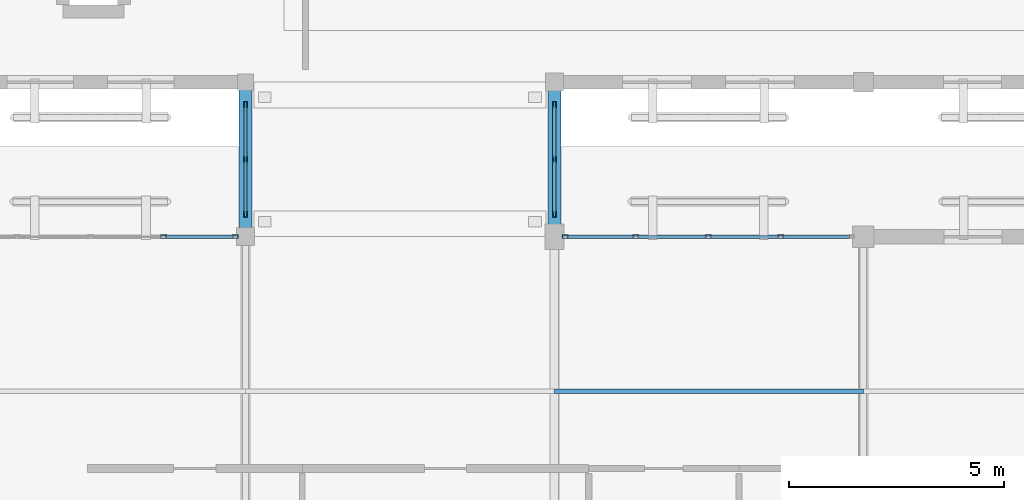
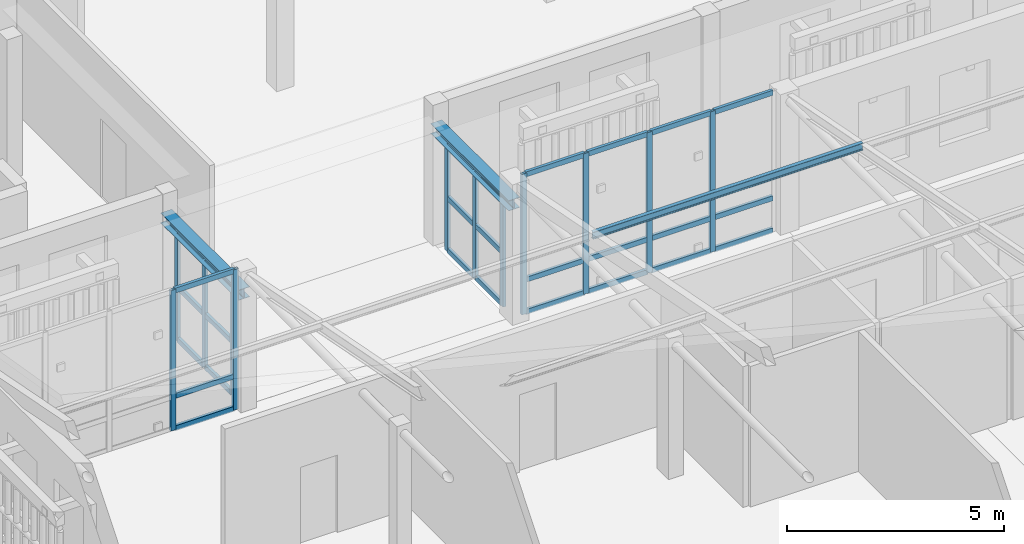
# One storey, part 54 of 112: 40 members, 2 beams, 4 elements without a shape of their own.
"""IFC4 building model written with IfcOpenShell, lengths in metres."""

import ifcopenshell
import ifcopenshell.guid

model = None  # the IFC model being written
_history = None  # IfcOwnerHistory: only IFC2X3 demands one
_inside = {}  # id of a spatial element -> (the spatial element, [elements in it])
_under = {}  # id of a project, library or spatial element -> (it, [spatial elements below it])
_declared = {}  # id of a project -> (the project, [libraries it declares])
_typed = {}  # id of a type object -> (the type object, [elements of that type])
_made_of = {}  # id of a material, layer set ... -> (it, [elements and type objects made of it])


def new_model(schema):
    """Start an empty IFC model of exactly this schema.

    Asked for "IFC4X3", IfcOpenShell would pick the latest addendum, in which some entities
    have other attributes; the version numbers below select the first issue.
    IFC2X3 requires an IfcOwnerHistory on every rooted entity: one is made here for all.
    """
    global model, _history
    if schema == "IFC4X3":
        model = ifcopenshell.file(schema_version=(4, 3, 0, 0))
    else:
        model = ifcopenshell.file(schema=schema)
    _inside.clear()
    _under.clear()
    _declared.clear()
    _typed.clear()
    _made_of.clear()
    _history = None
    if model.schema == "IFC2X3":
        org = make("IfcOrganization", Name="unknown")
        user = make(
            "IfcPersonAndOrganization",
            ThePerson=make("IfcPerson", FamilyName="unknown"),
            TheOrganization=org,
        )
        app = make(
            "IfcApplication",
            ApplicationDeveloper=org,
            Version="unknown",
            ApplicationFullName="unknown",
            ApplicationIdentifier="unknown",
        )
        _history = make(
            "IfcOwnerHistory",
            OwningUser=user,
            OwningApplication=app,
            ChangeAction="ADDED",
            CreationDate=0,
        )
    return model


def make(cls, **values):
    """One entity of the class cls with the attributes given. An attribute that is None is left unset."""
    return model.create_entity(
        cls, **{name: value for name, value in values.items() if value is not None}
    )


def rooted(cls, **values):
    """An entity with a GlobalId (a new one), such as an element, a storey or a relation."""
    return make(cls, GlobalId=ifcopenshell.guid.new(), OwnerHistory=_history, **values)


def si_unit(unit_type, name, prefix=None):
    """IfcSIUnit, for example si_unit("LENGTHUNIT", "METRE", prefix="MILLI")."""
    return make("IfcSIUnit", UnitType=unit_type, Prefix=prefix, Name=name)


def assignment(units):
    """IfcUnitAssignment: the units of a project."""
    return None if units is None else make("IfcUnitAssignment", Units=units)


def point(xyz):
    """IfcCartesianPoint."""
    return None if xyz is None else make("IfcCartesianPoint", Coordinates=xyz)


def direction(xyz):
    """IfcDirection."""
    return None if xyz is None else make("IfcDirection", DirectionRatios=xyz)


def frame(location, z_axis=None, x_axis=None):
    """IfcAxis2Placement3D, a coordinate frame: its origin and axes. An axis left out is left unset."""
    return make(
        "IfcAxis2Placement3D",
        Location=point(location),
        Axis=direction(z_axis),
        RefDirection=direction(x_axis),
    )


def frame_2d(location, x_axis=None):
    """IfcAxis2Placement2D, a coordinate frame in the plane: its origin and x axis."""
    return make(
        "IfcAxis2Placement2D", Location=point(location), RefDirection=direction(x_axis)
    )


def origin():
    """The frame at (0, 0, 0) with its axes left unset."""
    return frame((0.0, 0.0, 0.0))


def origin_2d():
    """The frame at (0, 0) in the plane with its x axis left unset."""
    return frame_2d((0.0, 0.0))


def place(relative_to, where):
    """IfcLocalPlacement: puts the frame where relative to a parent placement (None: the world)."""
    return make(
        "IfcLocalPlacement", PlacementRelTo=relative_to, RelativePlacement=where
    )


def context(
    kind, dimensions, precision=None, world=None, true_north=None, identifier=None
):
    """IfcGeometricRepresentationContext, for example the 3D "Model" context."""
    return make(
        "IfcGeometricRepresentationContext",
        ContextIdentifier=identifier,
        ContextType=kind,
        CoordinateSpaceDimension=dimensions,
        Precision=precision,
        WorldCoordinateSystem=world,
        TrueNorth=true_north,
    )


def subcontext(parent, identifier, kind, view, scale=None):
    """IfcGeometricRepresentationSubContext, for example "Body" below "Model"."""
    return make(
        "IfcGeometricRepresentationSubContext",
        ContextIdentifier=identifier,
        ContextType=kind,
        ParentContext=parent,
        TargetScale=scale,
        TargetView=view,
    )


def project(units=None, contexts=None):
    """IfcProject with its units and contexts."""
    return rooted(
        "IfcProject",
        Name="project",
        RepresentationContexts=contexts,
        UnitsInContext=assignment(units),
    )


def spatial(cls, under=None, at=None, **own):
    """A site, building, storey or space (cls), placed at a placement, below another one or the project."""
    s = rooted(cls, ObjectPlacement=at, **own)
    if under is not None:
        _under.setdefault(under.id(), (under, []))[1].append(s)
    return s


def profile(cls, at=None, kind="AREA", **sizes):
    """A parametric profile (cls). Its sizes go by their IFC names, for example OverallWidth=200.0."""
    return make(cls, ProfileType=kind, Position=at, **sizes)


def hollow_rectangle(**sizes):
    """IfcRectangleHollowProfileDef."""
    return profile("IfcRectangleHollowProfileDef", **sizes)


def i_section(**sizes):
    """IfcIShapeProfileDef."""
    return profile("IfcIShapeProfileDef", **sizes)


def extrude(swept, where, along, depth):
    """IfcExtrudedAreaSolid: the profile swept, set in the frame where, extruded along a direction by depth."""
    return make(
        "IfcExtrudedAreaSolid",
        SweptArea=swept,
        Position=where,
        ExtrudedDirection=direction(along),
        Depth=depth,
    )


def shape(context_of_items, identifier, shape_type, items):
    """IfcShapeRepresentation: the items that make up one representation, for example the "Body"."""
    return make(
        "IfcShapeRepresentation",
        ContextOfItems=context_of_items,
        RepresentationIdentifier=identifier,
        RepresentationType=shape_type,
        Items=items,
    )


def material(Name=None, Category=None):
    """IfcMaterial."""
    return make("IfcMaterial", Name=Name, Category=Category)


def layer(
    of_material, thickness, ventilated=None, Name=None, Category=None, Priority=None
):
    """IfcMaterialLayer: one layer of a wall or slab, of a material (None: an air gap)."""
    return make(
        "IfcMaterialLayer",
        Material=of_material,
        LayerThickness=thickness,
        IsVentilated=ventilated,
        Name=Name,
        Category=Category,
        Priority=Priority,
    )


def layer_set(layers, Name=None):
    """IfcMaterialLayerSet."""
    return make("IfcMaterialLayerSet", MaterialLayers=layers, LayerSetName=Name)


def material_profile(
    of_material, cross_section, Name=None, Category=None, Priority=None
):
    """IfcMaterialProfile: a cross section and its material."""
    return make(
        "IfcMaterialProfile",
        Name=Name,
        Material=of_material,
        Profile=cross_section,
        Priority=Priority,
        Category=Category,
    )


def profile_set(profiles, Name=None, composite=None):
    """IfcMaterialProfileSet."""
    return make(
        "IfcMaterialProfileSet",
        Name=Name,
        MaterialProfiles=profiles,
        CompositeProfile=composite,
    )


def made_of(thing, what):
    """Note that an element or type object is made of a material, layer set ...; save() writes the relation."""
    if what is not None:
        _made_of.setdefault(what.id(), (what, []))[1].append(thing)
    return thing


def type_object(cls, material=None, **own):
    """A type object (cls), such as IfcWallType, which elements share."""
    return made_of(rooted(cls, **own), material)


def element(
    cls,
    number,
    at=None,
    inside=None,
    cuts=None,
    type_object=None,
    material=None,
    context=None,
    identifier="Body",
    shape_type=None,
    held_by="IfcProductDefinitionShape",
    body=None,
    shapes=None,
    **own,
):
    """One element of the class cls, such as IfcWall. Its Tag is "e" and its number.

    at: its placement. inside: the storey or other place that contains it. cuts: it is an
    opening in that element (IfcRelVoidsElement). A single representation is given by context,
    identifier, shape_type and body (its items); several are given by shapes. held_by: the class
    of the entity that holds the representations. save() writes the other relations.
    """
    e = rooted(cls, Tag="e%d" % number, ObjectPlacement=at, **own)
    if body is not None:
        shapes = [shape(context, identifier, shape_type, body)]
    if shapes is not None:
        e.Representation = make(held_by, Representations=shapes)
    if inside is not None:
        _inside.setdefault(inside.id(), (inside, []))[1].append(e)
    if cuts is not None:
        rooted(
            "IfcRelVoidsElement", RelatingBuildingElement=cuts, RelatedOpeningElement=e
        )
    if type_object is not None:
        _typed.setdefault(type_object.id(), (type_object, []))[1].append(e)
    return made_of(e, material)


def aggregate(whole, parts):
    """IfcRelAggregates: a whole, such as a stair, and the parts it consists of."""
    return rooted("IfcRelAggregates", RelatingObject=whole, RelatedObjects=parts)


def save(model, path):
    """Write the relations noted so far, then the file.

    IfcRelAggregates (storeys below a building ...), IfcRelContainedInSpatialStructure (elements
    in a storey), IfcRelDefinesByType, IfcRelAssociatesMaterial and IfcRelDeclares: one each for
    every whole, place, type object, material and project.
    """
    for whole, parts in _under.values():
        aggregate(whole, parts)
    for where, things in _inside.values():
        rooted(
            "IfcRelContainedInSpatialStructure",
            RelatedElements=things,
            RelatingStructure=where,
        )
    for kind, things in _typed.values():
        rooted("IfcRelDefinesByType", RelatedObjects=things, RelatingType=kind)
    for what, things in _made_of.values():
        rooted("IfcRelAssociatesMaterial", RelatedObjects=things, RelatingMaterial=what)
    for by, libraries in _declared.values():
        rooted("IfcRelDeclares", RelatingContext=by, RelatedDefinitions=libraries)
    model.write(path)


model = new_model("IFC4")

# Units and contexts
model_context = context("Model", 3, precision=1e-05, world=origin(), true_north=direction((0.0, 1.0)))
body_context = subcontext(model_context, "Body", "Model", "MODEL_VIEW")
ifc_project = project(units=[si_unit("LENGTHUNIT", "METRE"), si_unit("AREAUNIT", "SQUARE_METRE"), si_unit("VOLUMEUNIT", "CUBIC_METRE"), si_unit("PLANEANGLEUNIT", "RADIAN"), si_unit("MASSUNIT", "GRAM", prefix="KILO")], contexts=[model_context])

# Site, building, storey
site_placement = place(None, origin())
site = spatial("IfcSite", under=ifc_project, at=site_placement, CompositionType="ELEMENT")
building_placement = place(site_placement, origin())
building = spatial("IfcBuilding", under=site, at=building_placement, Name="Mazaris Harbour Polytechnic", CompositionType="ELEMENT")
storey_placement = place(building_placement, frame((0.0, 0.0, 13.800048828125)))
storey = spatial("IfcBuildingStorey", under=building, at=storey_placement, Name="L03", CompositionType="ELEMENT", Elevation=13.800048828125)

# Curtain wall, members
ifc_material_1 = material(Name="Anodised Bronze Aluminium and Low-E Glass", Category="aluminium")
ifc_layer_1 = layer(ifc_material_1, 0.159912109375, Name="Anodised Bronze Aluminium and Low-E Glass")
ifc_layer_set_1 = layer_set([ifc_layer_1], Name="Anodised Bronze Aluminium and Low-E Glass")
curtain_wall_type_1 = type_object("IfcCurtainWallType", Name="Cloister Court Curtain Wall", PredefinedType="NOTDEFINED", material=ifc_layer_set_1)
curtain_wall_1_placement = place(storey_placement, origin())
curtain_wall_1 = element("IfcCurtainWall", 1, at=curtain_wall_1_placement, inside=storey, type_object=curtain_wall_type_1, Name="V2 L03 Curtain Wall 55", PredefinedType="NOTDEFINED")
ifc_material_2 = material(Name="Anodised Bronze Steel S355", Category="steel")
ifc_material_profile_1 = material_profile(ifc_material_2, hollow_rectangle(XDim=0.080078125, YDim=0.139892578125, WallThickness=0.00634765625, at=origin_2d()), Name="RHS 80x140x6.3")
ifc_profile_set_1 = profile_set([ifc_material_profile_1], Name="Anodised Bronze Steel S355")
member_type_1 = type_object("IfcMemberType", Name="Curtain Mullion RHS80x140", PredefinedType="MULLION", material=ifc_profile_set_1)
member_1_placement = place(storey_placement, frame((127.69140625, 43.199951171875, 0.0), z_axis=(0.0, 0.0, 1.0), x_axis=(0.0, 1.0, 0.0)))
member_1 = element("IfcMember", 2, at=member_1_placement, type_object=member_type_1, Name="CW-02 mullion 4", PredefinedType="MULLION", context=body_context, shape_type="SweptSolid", body=[
    extrude(hollow_rectangle(XDim=0.080078125, YDim=0.139892578125, WallThickness=0.00634765625, at=origin_2d()), origin(), (0.0, 0.0, 1.0), 3.9599609375),
])
member_2_placement = place(storey_placement, frame((129.35791015625, 43.199951171875, 0.0), z_axis=(0.0, 0.0, 1.0), x_axis=(0.0, 1.0, 0.0)))
member_2 = element("IfcMember", 3, at=member_2_placement, type_object=member_type_1, Name="CW-02 mullion 5", PredefinedType="MULLION", context=body_context, shape_type="SweptSolid", body=[
    extrude(hollow_rectangle(XDim=0.080078125, YDim=0.139892578125, WallThickness=0.00634765625, at=origin_2d()), origin(), (0.0, 0.0, 1.0), 3.9599609375),
])

curtain_wall_2_placement = place(storey_placement, origin())
curtain_wall_2 = element("IfcCurtainWall", 4, at=curtain_wall_2_placement, inside=storey, type_object=curtain_wall_type_1, Name="V2 L03 Curtain Wall 56", PredefinedType="NOTDEFINED")
member_3_placement = place(storey_placement, frame((137.052001953125, 43.199951171875, 0.0), z_axis=(0.0, 0.0, 1.0), x_axis=(0.0, 1.0, 0.0)))
member_3 = element("IfcMember", 5, at=member_3_placement, type_object=member_type_1, Name="CW-02 mullion 1", PredefinedType="MULLION", context=body_context, shape_type="SweptSolid", body=[
    extrude(hollow_rectangle(XDim=0.080078125, YDim=0.139892578125, WallThickness=0.00634765625, at=origin_2d()), origin(), (0.0, 0.0, 1.0), 3.9599609375),
])
member_4_placement = place(storey_placement, frame((138.698486328125, 43.199951171875, 0.0), z_axis=(0.0, 0.0, 1.0), x_axis=(0.0, 1.0, 0.0)))
member_4 = element("IfcMember", 6, at=member_4_placement, type_object=member_type_1, Name="CW-02 mullion 2", PredefinedType="MULLION", context=body_context, shape_type="SweptSolid", body=[
    extrude(hollow_rectangle(XDim=0.080078125, YDim=0.139892578125, WallThickness=0.00634765625, at=origin_2d()), origin(), (0.0, 0.0, 1.0), 3.9599609375),
])
member_5_placement = place(storey_placement, frame((140.385009765625, 43.199951171875, 0.0), z_axis=(0.0, 0.0, 1.0), x_axis=(0.0, 1.0, 0.0)))
member_5 = element("IfcMember", 7, at=member_5_placement, type_object=member_type_1, Name="CW-02 mullion 3", PredefinedType="MULLION", context=body_context, shape_type="SweptSolid", body=[
    extrude(hollow_rectangle(XDim=0.080078125, YDim=0.139892578125, WallThickness=0.00634765625, at=origin_2d()), origin(), (0.0, 0.0, 1.0), 3.9599609375),
])
member_6_placement = place(storey_placement, frame((142.071533203125, 43.199951171875, 0.0), z_axis=(0.0, 0.0, 1.0), x_axis=(0.0, 1.0, 0.0)))
member_6 = element("IfcMember", 8, at=member_6_placement, type_object=member_type_1, Name="CW-02 mullion 4", PredefinedType="MULLION", context=body_context, shape_type="SweptSolid", body=[
    extrude(hollow_rectangle(XDim=0.080078125, YDim=0.139892578125, WallThickness=0.00634765625, at=origin_2d()), origin(), (0.0, 0.0, 1.0), 3.9599609375),
])

ifc_material_3 = material(Name="Anodised Bronze Aluminium and Low-E Glass", Category="aluminium")
ifc_layer_2 = layer(ifc_material_3, 0.139892578125, Name="Anodised Bronze Aluminium and Low-E Glass")
ifc_layer_set_2 = layer_set([ifc_layer_2], Name="Anodised Bronze Aluminium and Low-E Glass")
curtain_wall_type_2 = type_object("IfcCurtainWallType", Name="Seismic Link Bridge Glazing", PredefinedType="NOTDEFINED", material=ifc_layer_set_2)
curtain_wall_3_placement = place(storey_placement, origin())
curtain_wall_3 = element("IfcCurtainWall", 9, at=curtain_wall_3_placement, inside=storey, type_object=curtain_wall_type_2, Name="PB-NE L03 Bridge Glazing", PredefinedType="NOTDEFINED")
member_7_placement = place(storey_placement, frame((129.60009765625, 46.280029296875, 0.0), z_axis=(0.0, 0.0, 1.0), x_axis=(1.0, 0.0, 0.0)))
member_7 = element("IfcMember", 10, at=member_7_placement, type_object=member_type_1, Name="CW-05 mullion 1", PredefinedType="MULLION", context=body_context, shape_type="SweptSolid", body=[
    extrude(hollow_rectangle(XDim=0.080078125, YDim=0.139892578125, WallThickness=0.00634765625, at=origin_2d()), origin(), (0.0, 0.0, 1.0), 3.010009765625),
])
member_8_placement = place(storey_placement, frame((129.60009765625, 45.0, 0.0), z_axis=(0.0, 0.0, 1.0), x_axis=(1.0, 0.0, 0.0)))
member_8 = element("IfcMember", 11, at=member_8_placement, type_object=member_type_1, Name="CW-05 mullion 2", PredefinedType="MULLION", context=body_context, shape_type="SweptSolid", body=[
    extrude(hollow_rectangle(XDim=0.080078125, YDim=0.139892578125, WallThickness=0.00634765625, at=origin_2d()), origin(), (0.0, 0.0, 1.0), 3.010009765625),
])
member_9_placement = place(storey_placement, frame((129.60009765625, 43.719970703125, 0.0), z_axis=(0.0, 0.0, 1.0), x_axis=(1.0, 0.0, 0.0)))
member_9 = element("IfcMember", 12, at=member_9_placement, type_object=member_type_1, Name="CW-05 mullion 3", PredefinedType="MULLION", context=body_context, shape_type="SweptSolid", body=[
    extrude(hollow_rectangle(XDim=0.080078125, YDim=0.139892578125, WallThickness=0.00634765625, at=origin_2d()), origin(), (0.0, 0.0, 1.0), 3.010009765625),
])

curtain_wall_4_placement = place(storey_placement, origin())
curtain_wall_4 = element("IfcCurtainWall", 13, at=curtain_wall_4_placement, inside=storey, type_object=curtain_wall_type_2, Name="PB-NE L03 Bridge Glazing", PredefinedType="NOTDEFINED")
member_10_placement = place(storey_placement, frame((136.800048828125, 43.719970703125, 0.0), z_axis=(0.0, 0.0, 1.0), x_axis=(-1.0, 0.0, 0.0)))
member_10 = element("IfcMember", 14, at=member_10_placement, type_object=member_type_1, Name="CW-05 mullion 1", PredefinedType="MULLION", context=body_context, shape_type="SweptSolid", body=[
    extrude(hollow_rectangle(XDim=0.080078125, YDim=0.139892578125, WallThickness=0.00634765625, at=origin_2d()), origin(), (0.0, 0.0, 1.0), 3.010009765625),
])
member_11_placement = place(storey_placement, frame((136.800048828125, 45.0, 0.0), z_axis=(0.0, 0.0, 1.0), x_axis=(-1.0, 0.0, 0.0)))
member_11 = element("IfcMember", 15, at=member_11_placement, type_object=member_type_1, Name="CW-05 mullion 2", PredefinedType="MULLION", context=body_context, shape_type="SweptSolid", body=[
    extrude(hollow_rectangle(XDim=0.080078125, YDim=0.139892578125, WallThickness=0.00634765625, at=origin_2d()), origin(), (0.0, 0.0, 1.0), 3.010009765625),
])
member_12_placement = place(storey_placement, frame((136.800048828125, 46.280029296875, 0.0), z_axis=(0.0, 0.0, 1.0), x_axis=(-1.0, 0.0, 0.0)))
member_12 = element("IfcMember", 16, at=member_12_placement, type_object=member_type_1, Name="CW-05 mullion 3", PredefinedType="MULLION", context=body_context, shape_type="SweptSolid", body=[
    extrude(hollow_rectangle(XDim=0.080078125, YDim=0.139892578125, WallThickness=0.00634765625, at=origin_2d()), origin(), (0.0, 0.0, 1.0), 3.010009765625),
])

# Member
ifc_material_4 = material(Name="Anodised Bronze Steel S355", Category="steel")
ifc_material_profile_2 = material_profile(ifc_material_4, hollow_rectangle(XDim=0.080078125, YDim=0.139892578125, WallThickness=0.00634765625, at=origin_2d()), Name="RHS 80x140x6.3")
ifc_profile_set_2 = profile_set([ifc_material_profile_2], Name="Anodised Bronze Steel S355")
member_type_2 = type_object("IfcMemberType", Name="Curtain Transom RHS80x140", PredefinedType="USERDEFINED", material=ifc_profile_set_2)
member_13_placement = place(storey_placement, frame((127.7314453125, 43.199951171875, 0.0400390625), z_axis=(1.0, 0.0, 0.0), x_axis=(0.0, 1.0, 0.0)))
member_13 = element("IfcMember", 17, at=member_13_placement, type_object=member_type_2, Name="CW-02 transom 4.1", ObjectType="TRANSOM", PredefinedType="USERDEFINED", context=body_context, shape_type="SweptSolid", body=[
    extrude(hollow_rectangle(XDim=0.080078125, YDim=0.139892578125, WallThickness=0.00634765625, at=origin_2d()), origin(), (0.0, 0.0, 1.0), 1.586669921875),
])

member_14_placement = place(storey_placement, frame((127.7314453125, 43.199951171875, 0.949951171875), z_axis=(1.0, 0.0, 0.0), x_axis=(0.0, 1.0, 0.0)))
member_14 = element("IfcMember", 18, at=member_14_placement, type_object=member_type_2, Name="CW-02 transom 4.2", ObjectType="TRANSOM", PredefinedType="USERDEFINED", context=body_context, shape_type="SweptSolid", body=[
    extrude(hollow_rectangle(XDim=0.080078125, YDim=0.139892578125, WallThickness=0.00634765625, at=origin_2d()), origin(), (0.0, 0.0, 1.0), 1.586669921875),
])

member_15_placement = place(storey_placement, frame((127.7314453125, 43.199951171875, 3.919921875), z_axis=(1.0, 0.0, 0.0), x_axis=(0.0, 1.0, 0.0)))
member_15 = element("IfcMember", 19, at=member_15_placement, type_object=member_type_2, Name="CW-02 transom 4.3", ObjectType="TRANSOM", PredefinedType="USERDEFINED", context=body_context, shape_type="SweptSolid", body=[
    extrude(hollow_rectangle(XDim=0.080078125, YDim=0.139892578125, WallThickness=0.00634765625, at=origin_2d()), origin(), (0.0, 0.0, 1.0), 1.586669921875),
])

aggregate(curtain_wall_1, [member_1, member_2, member_13, member_14, member_15])

member_16_placement = place(storey_placement, frame((137.092041015625, 43.199951171875, 0.0400390625), z_axis=(1.0, 0.0, 0.0), x_axis=(0.0, 1.0, 0.0)))
member_16 = element("IfcMember", 20, at=member_16_placement, type_object=member_type_2, Name="CW-02 transom 1.1", ObjectType="TRANSOM", PredefinedType="USERDEFINED", context=body_context, shape_type="SweptSolid", body=[
    extrude(hollow_rectangle(XDim=0.080078125, YDim=0.139892578125, WallThickness=0.00634765625, at=origin_2d()), origin(), (0.0, 0.0, 1.0), 1.56640625),
])

member_17_placement = place(storey_placement, frame((137.092041015625, 43.199951171875, 0.949951171875), z_axis=(1.0, 0.0, 0.0), x_axis=(0.0, 1.0, 0.0)))
member_17 = element("IfcMember", 21, at=member_17_placement, type_object=member_type_2, Name="CW-02 transom 1.2", ObjectType="TRANSOM", PredefinedType="USERDEFINED", context=body_context, shape_type="SweptSolid", body=[
    extrude(hollow_rectangle(XDim=0.080078125, YDim=0.139892578125, WallThickness=0.00634765625, at=origin_2d()), origin(), (0.0, 0.0, 1.0), 1.56640625),
])

member_18_placement = place(storey_placement, frame((137.092041015625, 43.199951171875, 3.919921875), z_axis=(1.0, 0.0, 0.0), x_axis=(0.0, 1.0, 0.0)))
member_18 = element("IfcMember", 22, at=member_18_placement, type_object=member_type_2, Name="CW-02 transom 1.3", ObjectType="TRANSOM", PredefinedType="USERDEFINED", context=body_context, shape_type="SweptSolid", body=[
    extrude(hollow_rectangle(XDim=0.080078125, YDim=0.139892578125, WallThickness=0.00634765625, at=origin_2d()), origin(), (0.0, 0.0, 1.0), 1.56640625),
])

member_19_placement = place(storey_placement, frame((138.738525390625, 43.199951171875, 0.0400390625), z_axis=(1.0, 0.0, 0.0), x_axis=(0.0, 1.0, 0.0)))
member_19 = element("IfcMember", 23, at=member_19_placement, type_object=member_type_2, Name="CW-02 transom 2.1", ObjectType="TRANSOM", PredefinedType="USERDEFINED", context=body_context, shape_type="SweptSolid", body=[
    extrude(hollow_rectangle(XDim=0.080078125, YDim=0.139892578125, WallThickness=0.00634765625, at=origin_2d()), origin(), (0.0, 0.0, 1.0), 1.6064453125),
])

member_20_placement = place(storey_placement, frame((138.738525390625, 43.199951171875, 0.949951171875), z_axis=(1.0, 0.0, 0.0), x_axis=(0.0, 1.0, 0.0)))
member_20 = element("IfcMember", 24, at=member_20_placement, type_object=member_type_2, Name="CW-02 transom 2.2", ObjectType="TRANSOM", PredefinedType="USERDEFINED", context=body_context, shape_type="SweptSolid", body=[
    extrude(hollow_rectangle(XDim=0.080078125, YDim=0.139892578125, WallThickness=0.00634765625, at=origin_2d()), origin(), (0.0, 0.0, 1.0), 1.6064453125),
])

member_21_placement = place(storey_placement, frame((138.738525390625, 43.199951171875, 3.919921875), z_axis=(1.0, 0.0, 0.0), x_axis=(0.0, 1.0, 0.0)))
member_21 = element("IfcMember", 25, at=member_21_placement, type_object=member_type_2, Name="CW-02 transom 2.3", ObjectType="TRANSOM", PredefinedType="USERDEFINED", context=body_context, shape_type="SweptSolid", body=[
    extrude(hollow_rectangle(XDim=0.080078125, YDim=0.139892578125, WallThickness=0.00634765625, at=origin_2d()), origin(), (0.0, 0.0, 1.0), 1.6064453125),
])

member_22_placement = place(storey_placement, frame((140.425048828125, 43.199951171875, 0.0400390625), z_axis=(1.0, 0.0, 0.0), x_axis=(0.0, 1.0, 0.0)))
member_22 = element("IfcMember", 26, at=member_22_placement, type_object=member_type_2, Name="CW-02 transom 3.1", ObjectType="TRANSOM", PredefinedType="USERDEFINED", context=body_context, shape_type="SweptSolid", body=[
    extrude(hollow_rectangle(XDim=0.080078125, YDim=0.139892578125, WallThickness=0.00634765625, at=origin_2d()), origin(), (0.0, 0.0, 1.0), 1.6064453125),
])

member_23_placement = place(storey_placement, frame((140.425048828125, 43.199951171875, 0.949951171875), z_axis=(1.0, 0.0, 0.0), x_axis=(0.0, 1.0, 0.0)))
member_23 = element("IfcMember", 27, at=member_23_placement, type_object=member_type_2, Name="CW-02 transom 3.2", ObjectType="TRANSOM", PredefinedType="USERDEFINED", context=body_context, shape_type="SweptSolid", body=[
    extrude(hollow_rectangle(XDim=0.080078125, YDim=0.139892578125, WallThickness=0.00634765625, at=origin_2d()), origin(), (0.0, 0.0, 1.0), 1.6064453125),
])

member_24_placement = place(storey_placement, frame((140.425048828125, 43.199951171875, 3.919921875), z_axis=(1.0, 0.0, 0.0), x_axis=(0.0, 1.0, 0.0)))
member_24 = element("IfcMember", 28, at=member_24_placement, type_object=member_type_2, Name="CW-02 transom 3.3", ObjectType="TRANSOM", PredefinedType="USERDEFINED", context=body_context, shape_type="SweptSolid", body=[
    extrude(hollow_rectangle(XDim=0.080078125, YDim=0.139892578125, WallThickness=0.00634765625, at=origin_2d()), origin(), (0.0, 0.0, 1.0), 1.6064453125),
])

member_25_placement = place(storey_placement, frame((142.111572265625, 43.199951171875, 0.0400390625), z_axis=(1.0, 0.0, 0.0), x_axis=(0.0, 1.0, 0.0)))
member_25 = element("IfcMember", 29, at=member_25_placement, type_object=member_type_2, Name="CW-02 transom 4.1", ObjectType="TRANSOM", PredefinedType="USERDEFINED", context=body_context, shape_type="SweptSolid", body=[
    extrude(hollow_rectangle(XDim=0.080078125, YDim=0.139892578125, WallThickness=0.00634765625, at=origin_2d()), origin(), (0.0, 0.0, 1.0), 1.56640625),
])

member_26_placement = place(storey_placement, frame((142.111572265625, 43.199951171875, 0.949951171875), z_axis=(1.0, 0.0, 0.0), x_axis=(0.0, 1.0, 0.0)))
member_26 = element("IfcMember", 30, at=member_26_placement, type_object=member_type_2, Name="CW-02 transom 4.2", ObjectType="TRANSOM", PredefinedType="USERDEFINED", context=body_context, shape_type="SweptSolid", body=[
    extrude(hollow_rectangle(XDim=0.080078125, YDim=0.139892578125, WallThickness=0.00634765625, at=origin_2d()), origin(), (0.0, 0.0, 1.0), 1.56640625),
])

member_27_placement = place(storey_placement, frame((142.111572265625, 43.199951171875, 3.919921875), z_axis=(1.0, 0.0, 0.0), x_axis=(0.0, 1.0, 0.0)))
member_27 = element("IfcMember", 31, at=member_27_placement, type_object=member_type_2, Name="CW-02 transom 4.3", ObjectType="TRANSOM", PredefinedType="USERDEFINED", context=body_context, shape_type="SweptSolid", body=[
    extrude(hollow_rectangle(XDim=0.080078125, YDim=0.139892578125, WallThickness=0.00634765625, at=origin_2d()), origin(), (0.0, 0.0, 1.0), 1.56640625),
])

aggregate(curtain_wall_2, [member_3, member_4, member_5, member_6, member_16, member_17, member_18, member_19, member_20, member_21, member_22, member_23, member_24, member_25, member_26, member_27])

member_28_placement = place(storey_placement, frame((129.60009765625, 46.239990234375, 0.0400390625), z_axis=(0.0, -1.0, 0.0), x_axis=(1.0, 0.0, 0.0)))
member_28 = element("IfcMember", 32, at=member_28_placement, type_object=member_type_2, Name="CW-05 transom 1.1", ObjectType="TRANSOM", PredefinedType="USERDEFINED", context=body_context, shape_type="SweptSolid", body=[
    extrude(hollow_rectangle(XDim=0.080078125, YDim=0.139892578125, WallThickness=0.00634765625, at=origin_2d()), origin(), (0.0, 0.0, 1.0), 1.199951171875),
])

member_29_placement = place(storey_placement, frame((129.60009765625, 46.239990234375, 1.5048828125), z_axis=(0.0, -1.0, 0.0), x_axis=(1.0, 0.0, 0.0)))
member_29 = element("IfcMember", 33, at=member_29_placement, type_object=member_type_2, Name="CW-05 transom 1.2", ObjectType="TRANSOM", PredefinedType="USERDEFINED", context=body_context, shape_type="SweptSolid", body=[
    extrude(hollow_rectangle(XDim=0.080078125, YDim=0.139892578125, WallThickness=0.00634765625, at=origin_2d()), origin(), (0.0, 0.0, 1.0), 1.199951171875),
])

member_30_placement = place(storey_placement, frame((129.60009765625, 46.239990234375, 2.969970703125), z_axis=(0.0, -1.0, 0.0), x_axis=(1.0, 0.0, 0.0)))
member_30 = element("IfcMember", 34, at=member_30_placement, type_object=member_type_2, Name="CW-05 transom 1.3", ObjectType="TRANSOM", PredefinedType="USERDEFINED", context=body_context, shape_type="SweptSolid", body=[
    extrude(hollow_rectangle(XDim=0.080078125, YDim=0.139892578125, WallThickness=0.00634765625, at=origin_2d()), origin(), (0.0, 0.0, 1.0), 1.199951171875),
])

member_31_placement = place(storey_placement, frame((129.60009765625, 44.9599609375, 0.0400390625), z_axis=(0.0, -1.0, 0.0), x_axis=(1.0, 0.0, 0.0)))
member_31 = element("IfcMember", 35, at=member_31_placement, type_object=member_type_2, Name="CW-05 transom 2.1", ObjectType="TRANSOM", PredefinedType="USERDEFINED", context=body_context, shape_type="SweptSolid", body=[
    extrude(hollow_rectangle(XDim=0.080078125, YDim=0.139892578125, WallThickness=0.00634765625, at=origin_2d()), origin(), (0.0, 0.0, 1.0), 1.199951171875),
])

member_32_placement = place(storey_placement, frame((129.60009765625, 44.9599609375, 1.5048828125), z_axis=(0.0, -1.0, 0.0), x_axis=(1.0, 0.0, 0.0)))
member_32 = element("IfcMember", 36, at=member_32_placement, type_object=member_type_2, Name="CW-05 transom 2.2", ObjectType="TRANSOM", PredefinedType="USERDEFINED", context=body_context, shape_type="SweptSolid", body=[
    extrude(hollow_rectangle(XDim=0.080078125, YDim=0.139892578125, WallThickness=0.00634765625, at=origin_2d()), origin(), (0.0, 0.0, 1.0), 1.199951171875),
])

member_33_placement = place(storey_placement, frame((129.60009765625, 44.9599609375, 2.969970703125), z_axis=(0.0, -1.0, 0.0), x_axis=(1.0, 0.0, 0.0)))
member_33 = element("IfcMember", 37, at=member_33_placement, type_object=member_type_2, Name="CW-05 transom 2.3", ObjectType="TRANSOM", PredefinedType="USERDEFINED", context=body_context, shape_type="SweptSolid", body=[
    extrude(hollow_rectangle(XDim=0.080078125, YDim=0.139892578125, WallThickness=0.00634765625, at=origin_2d()), origin(), (0.0, 0.0, 1.0), 1.199951171875),
])

aggregate(curtain_wall_3, [member_7, member_8, member_9, member_28, member_29, member_30, member_31, member_32, member_33])

member_34_placement = place(storey_placement, frame((136.800048828125, 43.760009765625, 0.0400390625), z_axis=(0.0, 1.0, 0.0), x_axis=(-1.0, 0.0, 0.0)))
member_34 = element("IfcMember", 38, at=member_34_placement, type_object=member_type_2, Name="CW-05 transom 1.1", ObjectType="TRANSOM", PredefinedType="USERDEFINED", context=body_context, shape_type="SweptSolid", body=[
    extrude(hollow_rectangle(XDim=0.080078125, YDim=0.139892578125, WallThickness=0.00634765625, at=origin_2d()), origin(), (0.0, 0.0, 1.0), 1.199951171875),
])

member_35_placement = place(storey_placement, frame((136.800048828125, 43.760009765625, 1.5048828125), z_axis=(0.0, 1.0, 0.0), x_axis=(-1.0, 0.0, 0.0)))
member_35 = element("IfcMember", 39, at=member_35_placement, type_object=member_type_2, Name="CW-05 transom 1.2", ObjectType="TRANSOM", PredefinedType="USERDEFINED", context=body_context, shape_type="SweptSolid", body=[
    extrude(hollow_rectangle(XDim=0.080078125, YDim=0.139892578125, WallThickness=0.00634765625, at=origin_2d()), origin(), (0.0, 0.0, 1.0), 1.199951171875),
])

member_36_placement = place(storey_placement, frame((136.800048828125, 43.760009765625, 2.969970703125), z_axis=(0.0, 1.0, 0.0), x_axis=(-1.0, 0.0, 0.0)))
member_36 = element("IfcMember", 40, at=member_36_placement, type_object=member_type_2, Name="CW-05 transom 1.3", ObjectType="TRANSOM", PredefinedType="USERDEFINED", context=body_context, shape_type="SweptSolid", body=[
    extrude(hollow_rectangle(XDim=0.080078125, YDim=0.139892578125, WallThickness=0.00634765625, at=origin_2d()), origin(), (0.0, 0.0, 1.0), 1.199951171875),
])

member_37_placement = place(storey_placement, frame((136.800048828125, 45.0400390625, 0.0400390625), z_axis=(0.0, 1.0, 0.0), x_axis=(-1.0, 0.0, 0.0)))
member_37 = element("IfcMember", 41, at=member_37_placement, type_object=member_type_2, Name="CW-05 transom 2.1", ObjectType="TRANSOM", PredefinedType="USERDEFINED", context=body_context, shape_type="SweptSolid", body=[
    extrude(hollow_rectangle(XDim=0.080078125, YDim=0.139892578125, WallThickness=0.00634765625, at=origin_2d()), origin(), (0.0, 0.0, 1.0), 1.199951171875),
])

member_38_placement = place(storey_placement, frame((136.800048828125, 45.0400390625, 1.5048828125), z_axis=(0.0, 1.0, 0.0), x_axis=(-1.0, 0.0, 0.0)))
member_38 = element("IfcMember", 42, at=member_38_placement, type_object=member_type_2, Name="CW-05 transom 2.2", ObjectType="TRANSOM", PredefinedType="USERDEFINED", context=body_context, shape_type="SweptSolid", body=[
    extrude(hollow_rectangle(XDim=0.080078125, YDim=0.139892578125, WallThickness=0.00634765625, at=origin_2d()), origin(), (0.0, 0.0, 1.0), 1.199951171875),
])

member_39_placement = place(storey_placement, frame((136.800048828125, 45.0400390625, 2.969970703125), z_axis=(0.0, 1.0, 0.0), x_axis=(-1.0, 0.0, 0.0)))
member_39 = element("IfcMember", 43, at=member_39_placement, type_object=member_type_2, Name="CW-05 transom 2.3", ObjectType="TRANSOM", PredefinedType="USERDEFINED", context=body_context, shape_type="SweptSolid", body=[
    extrude(hollow_rectangle(XDim=0.080078125, YDim=0.139892578125, WallThickness=0.00634765625, at=origin_2d()), origin(), (0.0, 0.0, 1.0), 1.199951171875),
])

aggregate(curtain_wall_4, [member_10, member_11, member_12, member_34, member_35, member_36, member_37, member_38, member_39])

# Beams
ifc_material_5 = material(Name="Steel S355", Category="steel")
ifc_material_profile_3 = material_profile(ifc_material_5, i_section(OverallWidth=0.300048828125, OverallDepth=0.2900390625, WebThickness=0.008544921875, FlangeThickness=0.013916015625, FilletRadius=0.027099609375, at=origin_2d()), Name="HEA 300")
ifc_profile_set_3 = profile_set([ifc_material_profile_3], Name="Steel S355")
beam_type = type_object("IfcBeamType", Name="Steel Beam HEA300 Exterior", PredefinedType="SPANDREL", material=ifc_profile_set_3)
for number, where, z_axis, x_axis, name in (
    (44, (129.60009765625, 43.199951171875, 3.1650390625), (0.0, 1.0, 0.0), (-1.0, 0.0, 0.0), "PB-NE L03 Bridge Girder 3479"),
    (45, (136.800048828125, 43.199951171875, 3.1650390625), (0.0, 1.0, 0.0), (-1.0, 0.0, 0.0), "PB-NE L03 Bridge Girder 3480"),
):
    element("IfcBeam", number, at=place(storey_placement, frame(where, z_axis=z_axis, x_axis=x_axis)), inside=storey, type_object=beam_type, Name=name, PredefinedType="SPANDREL", context=body_context, shape_type="SweptSolid", body=[
        extrude(i_section(OverallWidth=0.300048828125, OverallDepth=0.2900390625, WebThickness=0.008544921875, FlangeThickness=0.013916015625, FilletRadius=0.027099609375, at=origin_2d()), origin(), (0.0, 0.0, 1.0), 3.60009765625),
    ])

# Member
ifc_material_6 = material(Name="Steel S355", Category="steel")
ifc_material_profile_4 = material_profile(ifc_material_6, i_section(OverallWidth=0.10009765625, OverallDepth=0.199951171875, WebThickness=0.005615234375, FlangeThickness=0.008544921875, FilletRadius=0.011962890625, at=origin_2d()), Name="IPE 200")
ifc_profile_set_4 = profile_set([ifc_material_profile_4], Name="Steel S355")
member_type_3 = type_object("IfcMemberType", Name="Steel Purlin IPE200", PredefinedType="PURLIN", material=ifc_profile_set_4)
member_40_placement = place(storey_placement, frame((136.800048828125, 39.60009765625, 4.47998046875), z_axis=(1.0, 0.0, 0.0), x_axis=(0.0, 1.0, 0.0)))
element("IfcMember", 46, at=member_40_placement, inside=storey, type_object=member_type_3, Name="V2 Roof Purlin 162", PredefinedType="PURLIN", context=body_context, shape_type="SweptSolid", body=[
    extrude(i_section(OverallWidth=0.10009765625, OverallDepth=0.199951171875, WebThickness=0.005615234375, FlangeThickness=0.008544921875, FilletRadius=0.011962890625, at=origin_2d()), origin(), (0.0, 0.0, 1.0), 7.199951171875),
])

save(model, "model.ifc")
